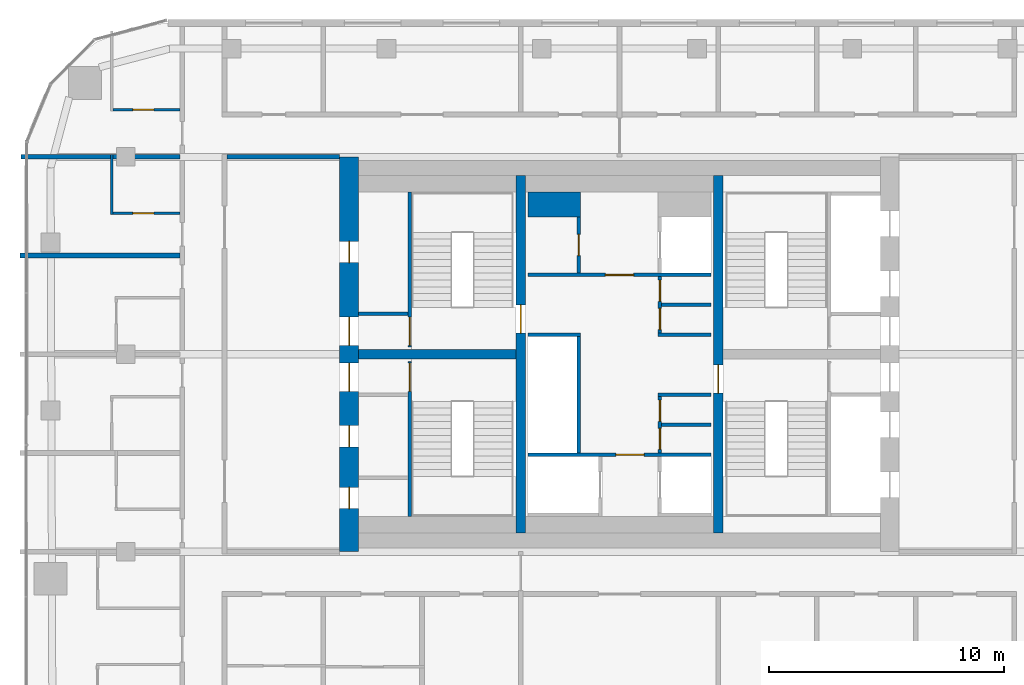
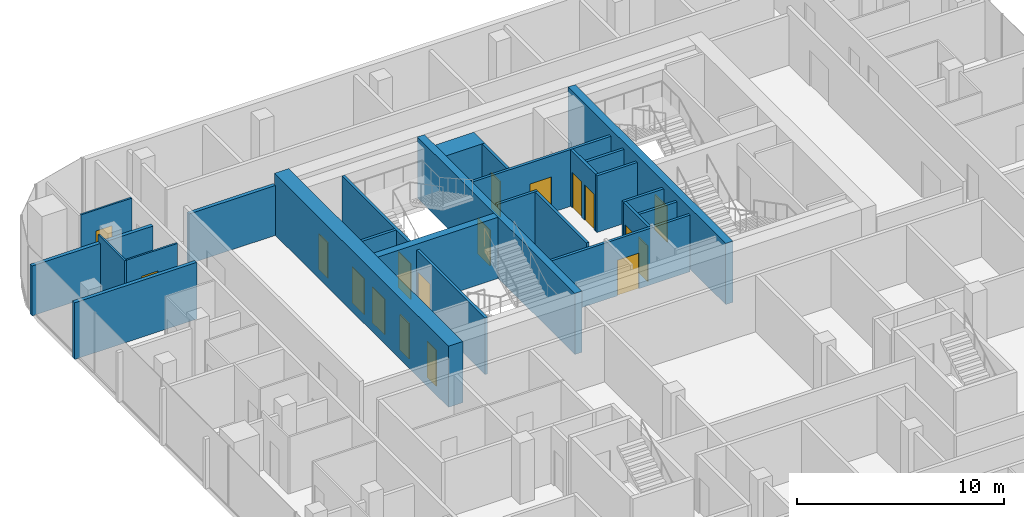
# One storey, part 18 of 22: 25 walls, 18 doors, 18 openings.
"""IFC4 building model written with IfcOpenShell, lengths in metres."""

from ifc_helpers import new_model, si_unit, direction, frame, frame_2d, origin, place, context, subcontext, project, spatial, rectangle, extrude, material, layer, layer_set, type_object, element, fill, save


model = new_model("IFC4")

# Units and contexts
model_context = context("Model", 3, precision=1e-05, world=origin(), true_north=direction((0.0, 1.0)))
body_context = subcontext(model_context, "Body", "Model", "MODEL_VIEW")
ifc_project = project(units=[si_unit("LENGTHUNIT", "METRE"), si_unit("AREAUNIT", "SQUARE_METRE"), si_unit("VOLUMEUNIT", "CUBIC_METRE"), si_unit("PLANEANGLEUNIT", "RADIAN"), si_unit("MASSUNIT", "GRAM", prefix="KILO")], contexts=[model_context])

# Site, building, storey
site_placement = place(None, origin())
site = spatial("IfcSite", under=ifc_project, at=site_placement, CompositionType="ELEMENT")
building_placement = place(site_placement, origin())
building = spatial("IfcBuilding", under=site, at=building_placement, Name="Marenta Gate Hotel Tower", CompositionType="ELEMENT")
storey_placement = place(building_placement, frame((0.0, 0.0, 238.10009765625)))
storey = spatial("IfcBuildingStorey", under=building, at=storey_placement, Name="L56", CompositionType="ELEMENT", Elevation=238.10009765625)

# Wall
ifc_material_1 = material(Name="Concrete blockwork", Category="masonry")
ifc_layer_1 = layer(ifc_material_1, 0.199951171875)
ifc_layer_set_1 = layer_set([ifc_layer_1], Name="Concrete blockwork")
wall_type_1 = type_object("IfcWallType", Name="Core boundary wall 200 REI 180", PredefinedType="PARTITIONING", material=ifc_layer_set_1)
wall_1_placement = place(storey_placement, frame((-16.699951171875, 16.800048828125, 0.0), z_axis=(0.0, 0.0, 1.0), x_axis=(1.0, 0.0, 0.0)))
element("IfcWall", 1, at=wall_1_placement, inside=storey, type_object=wall_type_1, Name="L56-CP-EW-WN", PredefinedType="PARTITIONING", context=body_context, shape_type="SweptSolid", body=[
    extrude(rectangle(XDim=4.800048828125, YDim=0.199951171875, at=frame_2d((2.39990234375, 0.0))), origin(), (0.0, 0.0, 1.0), 2.93994140625),
])

# Wall, opening, door
ifc_material_2 = material(Name="Concrete blockwork", Category="masonry")
ifc_layer_2 = layer(ifc_material_2, 0.14990234375)
ifc_layer_set_2 = layer_set([ifc_layer_2], Name="Concrete blockwork")
wall_type_2 = type_object("IfcWallType", Name="Core lobby partition 150 REI 180", PredefinedType="PARTITIONING", material=ifc_layer_set_2)
wall_2_placement = place(storey_placement, frame((-3.89990234375, 4.125, 0.0), z_axis=(0.0, 0.0, 1.0), x_axis=(1.0, 0.0, 0.0)))
wall_2 = element("IfcWall", 2, at=wall_2_placement, inside=storey, type_object=wall_type_2, Name="L56-CP-CW-S", PredefinedType="PARTITIONING", context=body_context, shape_type="SweptSolid", body=[
    extrude(rectangle(XDim=7.7998046875, YDim=0.14990234375, at=frame_2d((3.89990234375, 0.0))), origin(), (0.0, 0.0, 1.0), 3.33984375),
])
opening_1_placement = place(wall_2_placement, frame((3.75, 0.0, 0.0)))
opening_1 = element("IfcOpeningElement", 3, at=opening_1_placement, cuts=wall_2, Name="Opening FD-FFS", PredefinedType="OPENING", context=body_context, shape_type="SweptSolid", body=[
    extrude(rectangle(XDim=1.199951171875, YDim=2.10009765625, at=frame_2d((0.60009765625, 1.050048828125))), frame((0.0, 0.074951171875, 0.0), z_axis=(0.0, -1.0, 0.0), x_axis=(1.0, 0.0, 0.0)), (0.0, 0.0, 1.0), 0.14990234375),
])
ifc_material_3 = material(Name="Steel", Category="steel")
door_type_1 = type_object("IfcDoorType", Name="Core lobby door 1200x2100 FD60", OperationType="SINGLE_SWING_LEFT", PredefinedType="DOOR", material=ifc_material_3)
door_1_placement = place(opening_1_placement, origin())
door_1 = element("IfcDoor", 4, at=door_1_placement, inside=storey, type_object=door_type_1, Name="FD-FFS", OperationType="SINGLE_SWING_LEFT", OverallHeight=2.10009765625, OverallWidth=1.199951171875, PredefinedType="DOOR", context=body_context, shape_type="SweptSolid", body=[
    extrude(rectangle(XDim=1.199951171875, YDim=2.10009765625, at=frame_2d((0.60009765625, 1.050048828125))), frame((0.0, 0.02490234375, 0.0), z_axis=(0.0, -1.0, 0.0), x_axis=(1.0, 0.0, 0.0)), (0.0, 0.0, 1.0), 0.050048828125),
])
fill(opening_1, door_1)

wall_3_placement = place(storey_placement, frame((-3.89990234375, 11.77490234375, 0.0), z_axis=(0.0, 0.0, 1.0), x_axis=(1.0, 0.0, 0.0)))
wall_3 = element("IfcWall", 5, at=wall_3_placement, inside=storey, type_object=wall_type_2, Name="L56-CP-CW-N", PredefinedType="PARTITIONING", context=body_context, shape_type="SweptSolid", body=[
    extrude(rectangle(XDim=7.7998046875, YDim=0.14990234375, at=frame_2d((3.89990234375, 0.0))), origin(), (0.0, 0.0, 1.0), 3.33984375),
])
opening_2_placement = place(wall_3_placement, frame((3.300048828125, 0.0, 0.0)))
opening_2 = element("IfcOpeningElement", 6, at=opening_2_placement, cuts=wall_3, Name="Opening FD-FFN", PredefinedType="OPENING", context=body_context, shape_type="SweptSolid", body=[
    extrude(rectangle(XDim=1.199951171875, YDim=2.10009765625, at=frame_2d((0.60009765625, 1.050048828125))), frame((0.0, 0.074951171875, 0.0), z_axis=(0.0, -1.0, 0.0), x_axis=(1.0, 0.0, 0.0)), (0.0, 0.0, 1.0), 0.14990234375),
])
door_2_placement = place(opening_2_placement, origin())
door_2 = element("IfcDoor", 7, at=door_2_placement, inside=storey, type_object=door_type_1, Name="FD-FFN", OperationType="SINGLE_SWING_LEFT", OverallHeight=2.10009765625, OverallWidth=1.199951171875, PredefinedType="DOOR", context=body_context, shape_type="SweptSolid", body=[
    extrude(rectangle(XDim=1.199951171875, YDim=2.10009765625, at=frame_2d((0.60009765625, 1.050048828125))), frame((0.0, 0.02490234375, 0.0), z_axis=(0.0, -1.0, 0.0), x_axis=(1.0, 0.0, 0.0)), (0.0, 0.0, 1.0), 0.050048828125),
])
fill(opening_2, door_2)

# Walls
ifc_material_4 = material(Name="Concrete blockwork", Category="masonry")
ifc_layer_3 = layer(ifc_material_4, 1.050048828125)
ifc_layer_set_3 = layer_set([ifc_layer_3], Name="Concrete blockwork")
wall_type_3 = type_object("IfcWallType", Name="Core room partition 1050 REI 180", PredefinedType="PARTITIONING", material=ifc_layer_set_3)
wall_4_placement = place(storey_placement, frame((-3.89990234375, 14.77490234375, 0.0), z_axis=(0.0, 0.0, 1.0), x_axis=(1.0, 0.0, 0.0)))
element("IfcWall", 8, at=wall_4_placement, inside=storey, type_object=wall_type_3, Name="L56-CP-CW-W-riser-N", PredefinedType="PARTITIONING", context=body_context, shape_type="SweptSolid", body=[
    extrude(rectangle(XDim=2.25, YDim=1.050048828125, at=frame_2d((1.125, 0.0))), origin(), (0.0, 0.0, 1.0), 3.33984375),
])
ifc_material_5 = material(Name="Concrete blockwork", Category="masonry")
ifc_layer_4 = layer(ifc_material_5, 0.14990234375)
ifc_layer_set_4 = layer_set([ifc_layer_4], Name="Concrete blockwork")
wall_type_4 = type_object("IfcWallType", Name="Core room partition 150 REI 180", PredefinedType="PARTITIONING", material=ifc_layer_set_4)
wall_5_placement = place(storey_placement, frame((-11.10009765625, 10.125, 0.0), z_axis=(0.0, 0.0, 1.0), x_axis=(1.0, 0.0, 0.0)))
element("IfcWall", 9, at=wall_5_placement, inside=storey, type_object=wall_type_4, Name="L56-CP-SW-WN-2", PredefinedType="PARTITIONING", context=body_context, shape_type="SweptSolid", body=[
    extrude(rectangle(XDim=2.10009765625, YDim=0.14990234375, at=frame_2d((1.050048828125, 0.0))), origin(), (0.0, 0.0, 1.0), 3.33984375),
])

# Wall, opening, door
wall_6_placement = place(storey_placement, frame((-1.72509765625, 11.85009765625, 0.0), z_axis=(0.0, 0.0, 1.0), x_axis=(0.0, 1.0, 0.0)))
wall_6 = element("IfcWall", 10, at=wall_6_placement, inside=storey, type_object=wall_type_4, Name="L56-CP-CW-W-riser-front", PredefinedType="PARTITIONING", context=body_context, shape_type="SweptSolid", body=[
    extrude(rectangle(XDim=2.39990234375, YDim=0.14990234375, at=frame_2d((1.199951171875, 0.0))), origin(), (0.0, 0.0, 1.0), 3.33984375),
])
opening_3_placement = place(wall_6_placement, frame((0.75, 0.0, 0.0)))
opening_3 = element("IfcOpeningElement", 11, at=opening_3_placement, cuts=wall_6, Name="Opening RD-CRISER", PredefinedType="OPENING", context=body_context, shape_type="SweptSolid", body=[
    extrude(rectangle(XDim=0.89990234375, YDim=2.10009765625, at=frame_2d((0.449951171875, 1.050048828125))), frame((0.0, 0.074951171875, 0.0), z_axis=(0.0, -1.0, 0.0), x_axis=(1.0, 0.0, 0.0)), (0.0, 0.0, 1.0), 0.14990234375),
])
ifc_material_6 = material(Name="Steel", Category="steel")
door_type_2 = type_object("IfcDoorType", Name="Core riser door 900x2100 FD60", OperationType="SINGLE_SWING_LEFT", PredefinedType="DOOR", material=ifc_material_6)
door_3_placement = place(opening_3_placement, origin())
door_3 = element("IfcDoor", 12, at=door_3_placement, inside=storey, type_object=door_type_2, Name="RD-CRISER", OperationType="SINGLE_SWING_LEFT", OverallHeight=2.10009765625, OverallWidth=0.89990234375, PredefinedType="DOOR", context=body_context, shape_type="SweptSolid", body=[
    extrude(rectangle(XDim=0.89990234375, YDim=2.10009765625, at=frame_2d((0.449951171875, 1.050048828125))), frame((0.0, 0.02490234375, 0.0), z_axis=(0.0, -1.0, 0.0), x_axis=(1.0, 0.0, 0.0)), (0.0, 0.0, 1.0), 0.050048828125),
])
fill(opening_3, door_3)

# Walls
for number, where, z_axis, x_axis, name in (
    (13, (1.64990234375, 6.675048828125, 0.0), (0.0, 0.0, 1.0), (1.0, 0.0, 0.0), "L56-CP-CE-sep1"),
    (14, (1.64990234375, 9.22509765625, 0.0), (0.0, 0.0, 1.0), (1.0, 0.0, 0.0), "L56-CP-CE-sep2"),
):
    element("IfcWall", number, at=place(storey_placement, frame(where, z_axis=z_axis, x_axis=x_axis)), inside=storey, type_object=wall_type_4, Name=name, PredefinedType="PARTITIONING", context=body_context, shape_type="SweptSolid", body=[
        extrude(rectangle(XDim=2.25, YDim=0.14990234375, at=frame_2d((1.125, 0.0))), origin(), (0.0, 0.0, 1.0), 3.33984375),
    ])

# Wall, openings, doors
wall_7_placement = place(storey_placement, frame((1.72509765625, 4.199951171875, 0.0), z_axis=(0.0, 0.0, 1.0), x_axis=(0.0, 1.0, 0.0)))
wall_7 = element("IfcWall", 15, at=wall_7_placement, inside=storey, type_object=wall_type_4, Name="L56-CP-CE-front-1", PredefinedType="PARTITIONING", context=body_context, shape_type="SweptSolid", body=[
    extrude(rectangle(XDim=2.400146484375, YDim=0.14990234375, at=frame_2d((1.2001953125, 0.0))), origin(), (0.0, 0.0, 1.0), 3.33984375),
])
opening_4_placement = place(wall_7_placement, frame((0.14990234375, 0.0, 0.0)))
opening_4 = element("IfcOpeningElement", 16, at=opening_4_placement, cuts=wall_7, Name="Opening RD-CE-1a", PredefinedType="OPENING", context=body_context, shape_type="SweptSolid", body=[
    extrude(rectangle(XDim=0.89990234375, YDim=2.10009765625, at=frame_2d((0.449951171875, 1.050048828125))), frame((0.0, 0.074951171875, 0.0), z_axis=(0.0, -1.0, 0.0), x_axis=(1.0, 0.0, 0.0)), (0.0, 0.0, 1.0), 0.14990234375),
])
opening_5_placement = place(wall_7_placement, frame((1.35009765625, 0.0, 0.0)))
opening_5 = element("IfcOpeningElement", 17, at=opening_5_placement, cuts=wall_7, Name="Opening RD-CE-1b-B", PredefinedType="OPENING", context=body_context, shape_type="SweptSolid", body=[
    extrude(rectangle(XDim=0.89990234375, YDim=2.10009765625, at=frame_2d((0.449951171875, 1.050048828125))), frame((0.0, 0.074951171875, 0.0), z_axis=(0.0, -1.0, 0.0), x_axis=(1.0, 0.0, 0.0)), (0.0, 0.0, 1.0), 0.14990234375),
])
ifc_material_7 = material(Name="Steel", Category="steel")
door_type_3 = type_object("IfcDoorType", Name="Core service room door 900x2100 FD30S", OperationType="SINGLE_SWING_LEFT", PredefinedType="DOOR", material=ifc_material_7)
door_4_placement = place(opening_4_placement, origin())
door_4 = element("IfcDoor", 18, at=door_4_placement, inside=storey, type_object=door_type_3, Name="RD-CE-1a", OperationType="SINGLE_SWING_LEFT", OverallHeight=2.10009765625, OverallWidth=0.89990234375, PredefinedType="DOOR", context=body_context, shape_type="SweptSolid", body=[
    extrude(rectangle(XDim=0.89990234375, YDim=2.10009765625, at=frame_2d((0.449951171875, 1.050048828125))), frame((0.0, 0.02490234375, 0.0), z_axis=(0.0, -1.0, 0.0), x_axis=(1.0, 0.0, 0.0)), (0.0, 0.0, 1.0), 0.050048828125),
])
fill(opening_4, door_4)
door_5_placement = place(opening_5_placement, origin())
door_5 = element("IfcDoor", 19, at=door_5_placement, inside=storey, type_object=door_type_3, Name="RD-CE-1b-B", OperationType="SINGLE_SWING_LEFT", OverallHeight=2.10009765625, OverallWidth=0.89990234375, PredefinedType="DOOR", context=body_context, shape_type="SweptSolid", body=[
    extrude(rectangle(XDim=0.89990234375, YDim=2.10009765625, at=frame_2d((0.449951171875, 1.050048828125))), frame((0.0, 0.02490234375, 0.0), z_axis=(0.0, -1.0, 0.0), x_axis=(1.0, 0.0, 0.0)), (0.0, 0.0, 1.0), 0.050048828125),
])
fill(opening_5, door_5)

wall_8_placement = place(storey_placement, frame((1.72509765625, 9.300048828125, 0.0), z_axis=(0.0, 0.0, 1.0), x_axis=(0.0, 1.0, 0.0)))
wall_8 = element("IfcWall", 20, at=wall_8_placement, inside=storey, type_object=wall_type_4, Name="L56-CP-CE-front-2", PredefinedType="PARTITIONING", context=body_context, shape_type="SweptSolid", body=[
    extrude(rectangle(XDim=2.39990234375, YDim=0.14990234375, at=frame_2d((1.199951171875, 0.0))), origin(), (0.0, 0.0, 1.0), 3.33984375),
])
opening_6_placement = place(wall_8_placement, frame((0.14990234375, 0.0, 0.0)))
opening_6 = element("IfcOpeningElement", 21, at=opening_6_placement, cuts=wall_8, Name="Opening RD-CE-2a", PredefinedType="OPENING", context=body_context, shape_type="SweptSolid", body=[
    extrude(rectangle(XDim=0.89990234375, YDim=2.10009765625, at=frame_2d((0.449951171875, 1.050048828125))), frame((0.0, 0.074951171875, 0.0), z_axis=(0.0, -1.0, 0.0), x_axis=(1.0, 0.0, 0.0)), (0.0, 0.0, 1.0), 0.14990234375),
])
opening_7_placement = place(wall_8_placement, frame((1.35009765625, 0.0, 0.0)))
opening_7 = element("IfcOpeningElement", 22, at=opening_7_placement, cuts=wall_8, Name="Opening RD-CE-2b-B", PredefinedType="OPENING", context=body_context, shape_type="SweptSolid", body=[
    extrude(rectangle(XDim=0.89990234375, YDim=2.10009765625, at=frame_2d((0.449951171875, 1.050048828125))), frame((0.0, 0.074951171875, 0.0), z_axis=(0.0, -1.0, 0.0), x_axis=(1.0, 0.0, 0.0)), (0.0, 0.0, 1.0), 0.14990234375),
])
door_6_placement = place(opening_6_placement, origin())
door_6 = element("IfcDoor", 23, at=door_6_placement, inside=storey, type_object=door_type_3, Name="RD-CE-2a", OperationType="SINGLE_SWING_LEFT", OverallHeight=2.10009765625, OverallWidth=0.89990234375, PredefinedType="DOOR", context=body_context, shape_type="SweptSolid", body=[
    extrude(rectangle(XDim=0.89990234375, YDim=2.10009765625, at=frame_2d((0.449951171875, 1.050048828125))), frame((0.0, 0.02490234375, 0.0), z_axis=(0.0, -1.0, 0.0), x_axis=(1.0, 0.0, 0.0)), (0.0, 0.0, 1.0), 0.050048828125),
])
fill(opening_6, door_6)
door_7_placement = place(opening_7_placement, origin())
door_7 = element("IfcDoor", 24, at=door_7_placement, inside=storey, type_object=door_type_3, Name="RD-CE-2b-B", OperationType="SINGLE_SWING_LEFT", OverallHeight=2.10009765625, OverallWidth=0.89990234375, PredefinedType="DOOR", context=body_context, shape_type="SweptSolid", body=[
    extrude(rectangle(XDim=0.89990234375, YDim=2.10009765625, at=frame_2d((0.449951171875, 1.050048828125))), frame((0.0, 0.02490234375, 0.0), z_axis=(0.0, -1.0, 0.0), x_axis=(1.0, 0.0, 0.0)), (0.0, 0.0, 1.0), 0.050048828125),
])
fill(opening_7, door_7)

# Walls
for number, where, z_axis, x_axis, name in (
    (25, (1.800048828125, 5.39990234375, 0.0), (0.0, 0.0, 1.0), (1.0, 0.0, 0.0), "L56-CP-CE-RW-1"),
    (26, (1.800048828125, 10.5, 0.0), (0.0, 0.0, 1.0), (1.0, 0.0, 0.0), "L56-CP-CE-RW-2"),
):
    element("IfcWall", number, at=place(storey_placement, frame(where, z_axis=z_axis, x_axis=x_axis)), inside=storey, type_object=wall_type_4, Name=name, PredefinedType="PARTITIONING", context=body_context, shape_type="SweptSolid", body=[
        extrude(rectangle(XDim=2.099853515625, YDim=0.14990234375, at=frame_2d((1.0498046875, 0.0))), origin(), (0.0, 0.0, 1.0), 3.33984375),
    ])
ifc_material_8 = material(Name="Concrete C40", Category="concrete")
ifc_layer_5 = layer(ifc_material_8, 0.14990234375)
ifc_layer_set_5 = layer_set([ifc_layer_5], Name="Concrete C40")
wall_type_5 = type_object("IfcWallType", Name="Core shaft wall 150 REI 180", PredefinedType="SHEAR", material=ifc_layer_set_5)
wall_9_placement = place(storey_placement, frame((-1.72509765625, 4.199951171875, 0.0), z_axis=(0.0, 0.0, 1.0), x_axis=(0.0, 1.0, 0.0)))
element("IfcWall", 27, at=wall_9_placement, inside=storey, type_object=wall_type_5, Name="L56-SHF-CW-W-front", PredefinedType="SHEAR", context=body_context, shape_type="SweptSolid", body=[
    extrude(rectangle(XDim=4.949951171875, YDim=0.14990234375, at=frame_2d((2.47509765625, 0.0))), origin(), (0.0, 0.0, 1.0), 3.599853515625),
])
wall_10_placement = place(storey_placement, frame((-3.89990234375, 9.22509765625, 0.0), z_axis=(0.0, 0.0, 1.0), x_axis=(1.0, 0.0, 0.0)))
element("IfcWall", 28, at=wall_10_placement, inside=storey, type_object=wall_type_5, Name="L56-SHF-CW-W-sep", PredefinedType="SHEAR", context=body_context, shape_type="SweptSolid", body=[
    extrude(rectangle(XDim=2.25, YDim=0.14990234375, at=frame_2d((1.125, 0.0))), origin(), (0.0, 0.0, 1.0), 3.599853515625),
])

# Wall, opening, door
ifc_material_9 = material(Name="Concrete C40", Category="concrete")
ifc_layer_6 = layer(ifc_material_9, 0.14990234375)
ifc_layer_set_6 = layer_set([ifc_layer_6], Name="Concrete C40")
wall_type_6 = type_object("IfcWallType", Name="Core stair enclosure wall 150 REI 180", PredefinedType="SHEAR", material=ifc_layer_set_6)
wall_11_placement = place(storey_placement, frame((-8.925048828125, 1.5, 0.0), z_axis=(0.0, 0.0, 1.0), x_axis=(0.0, 1.0, 0.0)))
wall_11 = element("IfcWall", 29, at=wall_11_placement, inside=storey, type_object=wall_type_6, Name="L56-SHF-SW-WS-3", PredefinedType="SHEAR", context=body_context, shape_type="SweptSolid", body=[
    extrude(rectangle(XDim=6.60009765625, YDim=0.14990234375, at=frame_2d((3.300048828125, 0.0))), origin(), (0.0, 0.0, 1.0), 3.33984375),
])
opening_8_placement = place(wall_11_placement, frame((5.324951171875, 0.0, 0.0)))
opening_8 = element("IfcOpeningElement", 30, at=opening_8_placement, cuts=wall_11, Name="Opening SD-WS", PredefinedType="OPENING", context=body_context, shape_type="SweptSolid", body=[
    extrude(rectangle(XDim=1.199951171875, YDim=2.10009765625, at=frame_2d((0.60009765625, 1.050048828125))), frame((0.0, 0.074951171875, 0.0), z_axis=(0.0, -1.0, 0.0), x_axis=(1.0, 0.0, 0.0)), (0.0, 0.0, 1.0), 0.14990234375),
])
ifc_material_10 = material(Name="Steel", Category="steel")
door_type_4 = type_object("IfcDoorType", Name="Core stair door 1200x2100 FD60", OperationType="SINGLE_SWING_LEFT", PredefinedType="DOOR", material=ifc_material_10)
door_8_placement = place(opening_8_placement, origin())
door_8 = element("IfcDoor", 31, at=door_8_placement, inside=storey, type_object=door_type_4, Name="SD-WS", OperationType="SINGLE_SWING_LEFT", OverallHeight=2.10009765625, OverallWidth=1.199951171875, PredefinedType="DOOR", context=body_context, shape_type="SweptSolid", body=[
    extrude(rectangle(XDim=1.199951171875, YDim=2.10009765625, at=frame_2d((0.60009765625, 1.050048828125))), frame((0.0, 0.02490234375, 0.0), z_axis=(0.0, -1.0, 0.0), x_axis=(1.0, 0.0, 0.0)), (0.0, 0.0, 1.0), 0.050048828125),
])
fill(opening_8, door_8)

wall_12_placement = place(storey_placement, frame((-8.925048828125, 8.699951171875, 0.0), z_axis=(0.0, 0.0, 1.0), x_axis=(0.0, 1.0, 0.0)))
wall_12 = element("IfcWall", 32, at=wall_12_placement, inside=storey, type_object=wall_type_6, Name="L56-SHF-SW-WN-3", PredefinedType="SHEAR", context=body_context, shape_type="SweptSolid", body=[
    extrude(rectangle(XDim=6.60009765625, YDim=0.14990234375, at=frame_2d((3.300048828125, 0.0))), origin(), (0.0, 0.0, 1.0), 3.33984375),
])
opening_9_placement = place(wall_12_placement, frame((0.074951171875, 0.0, 0.0)))
opening_9 = element("IfcOpeningElement", 33, at=opening_9_placement, cuts=wall_12, Name="Opening SD-WN", PredefinedType="OPENING", context=body_context, shape_type="SweptSolid", body=[
    extrude(rectangle(XDim=1.199951171875, YDim=2.10009765625, at=frame_2d((0.60009765625, 1.050048828125))), frame((0.0, 0.074951171875, 0.0), z_axis=(0.0, -1.0, 0.0), x_axis=(1.0, 0.0, 0.0)), (0.0, 0.0, 1.0), 0.14990234375),
])
door_9_placement = place(opening_9_placement, origin())
door_9 = element("IfcDoor", 34, at=door_9_placement, inside=storey, type_object=door_type_4, Name="SD-WN", OperationType="SINGLE_SWING_LEFT", OverallHeight=2.10009765625, OverallWidth=1.199951171875, PredefinedType="DOOR", context=body_context, shape_type="SweptSolid", body=[
    extrude(rectangle(XDim=1.199951171875, YDim=2.10009765625, at=frame_2d((0.60009765625, 1.050048828125))), frame((0.0, 0.02490234375, 0.0), z_axis=(0.0, -1.0, 0.0), x_axis=(1.0, 0.0, 0.0)), (0.0, 0.0, 1.0), 0.050048828125),
])
fill(opening_9, door_9)

# Wall, openings, doors
ifc_material_11 = material(Name="Concrete C60", Category="concrete")
ifc_layer_7 = layer(ifc_material_11, 0.800048828125)
ifc_layer_set_7 = layer_set([ifc_layer_7], Name="Concrete C60")
wall_type_7 = type_object("IfcWallType", Name="Core wall 800 C60", PredefinedType="SHEAR", material=ifc_layer_set_7)
wall_13_placement = place(storey_placement, frame((-11.5, 0.0, 0.0), z_axis=(0.0, 0.0, 1.0), x_axis=(0.0, 1.0, 0.0)))
wall_13 = element("IfcWall", 35, at=wall_13_placement, inside=storey, type_object=wall_type_7, Name="L56-CORE-W", PredefinedType="SHEAR", context=body_context, shape_type="SweptSolid", body=[
    extrude(rectangle(XDim=16.800048828125, YDim=0.800048828125, at=frame_2d((8.39990234375, 0.0))), origin(), (0.0, 0.0, 1.0), 3.599853515625),
])
opening_10_placement = place(wall_13_placement, frame((1.83740234375, 0.0, 0.0)))
opening_10 = element("IfcOpeningElement", 36, at=opening_10_placement, cuts=wall_13, Name="Opening RD-WS-1", PredefinedType="OPENING", context=body_context, shape_type="SweptSolid", body=[
    extrude(rectangle(XDim=0.89990234375, YDim=2.10009765625, at=frame_2d((0.449951171875, 1.050048828125))), frame((0.0, 0.39990234375, 0.0), z_axis=(0.0, -1.0, 0.0), x_axis=(1.0, 0.0, 0.0)), (0.0, 0.0, 1.0), 0.800048828125),
])
opening_11_placement = place(wall_13_placement, frame((4.46240234375, 0.0, 0.0)))
opening_11 = element("IfcOpeningElement", 37, at=opening_11_placement, cuts=wall_13, Name="Opening RD-WS-2", PredefinedType="OPENING", context=body_context, shape_type="SweptSolid", body=[
    extrude(rectangle(XDim=0.89990234375, YDim=2.10009765625, at=frame_2d((0.449951171875, 1.050048828125))), frame((0.0, 0.39990234375, 0.0), z_axis=(0.0, -1.0, 0.0), x_axis=(1.0, 0.0, 0.0)), (0.0, 0.0, 1.0), 0.800048828125),
])
opening_12_placement = place(wall_13_placement, frame((6.824951171875, 0.0, 0.0)))
opening_12 = element("IfcOpeningElement", 38, at=opening_12_placement, cuts=wall_13, Name="Opening PD-WS", PredefinedType="OPENING", context=body_context, shape_type="SweptSolid", body=[
    extrude(rectangle(XDim=1.199951171875, YDim=2.10009765625, at=frame_2d((0.60009765625, 1.050048828125))), frame((0.0, 0.39990234375, 0.0), z_axis=(0.0, -1.0, 0.0), x_axis=(1.0, 0.0, 0.0)), (0.0, 0.0, 1.0), 0.800048828125),
])
opening_13_placement = place(wall_13_placement, frame((12.300048828125, 0.0, 0.0)))
opening_13 = element("IfcOpeningElement", 39, at=opening_13_placement, cuts=wall_13, Name="Opening RD-WN-1", PredefinedType="OPENING", context=body_context, shape_type="SweptSolid", body=[
    extrude(rectangle(XDim=0.89990234375, YDim=2.10009765625, at=frame_2d((0.449951171875, 1.050048828125))), frame((0.0, 0.39990234375, 0.0), z_axis=(0.0, -1.0, 0.0), x_axis=(1.0, 0.0, 0.0)), (0.0, 0.0, 1.0), 0.800048828125),
])
opening_14_placement = place(wall_13_placement, frame((8.77490234375, 0.0, 0.0)))
opening_14 = element("IfcOpeningElement", 40, at=opening_14_placement, cuts=wall_13, Name="Opening PD-WN", PredefinedType="OPENING", context=body_context, shape_type="SweptSolid", body=[
    extrude(rectangle(XDim=1.199951171875, YDim=2.10009765625, at=frame_2d((0.60009765625, 1.050048828125))), frame((0.0, 0.39990234375, 0.0), z_axis=(0.0, -1.0, 0.0), x_axis=(1.0, 0.0, 0.0)), (0.0, 0.0, 1.0), 0.800048828125),
])
door_10_placement = place(opening_12_placement, origin())
door_10 = element("IfcDoor", 41, at=door_10_placement, inside=storey, type_object=door_type_1, Name="PD-WS", OperationType="SINGLE_SWING_LEFT", OverallHeight=2.10009765625, OverallWidth=1.199951171875, PredefinedType="DOOR", context=body_context, shape_type="SweptSolid", body=[
    extrude(rectangle(XDim=1.199951171875, YDim=2.10009765625, at=frame_2d((0.60009765625, 1.050048828125))), frame((0.0, 0.02490234375, 0.0), z_axis=(0.0, -1.0, 0.0), x_axis=(1.0, 0.0, 0.0)), (0.0, 0.0, 1.0), 0.050048828125),
])
fill(opening_12, door_10)
door_11_placement = place(opening_14_placement, origin())
door_11 = element("IfcDoor", 42, at=door_11_placement, inside=storey, type_object=door_type_1, Name="PD-WN", OperationType="SINGLE_SWING_LEFT", OverallHeight=2.10009765625, OverallWidth=1.199951171875, PredefinedType="DOOR", context=body_context, shape_type="SweptSolid", body=[
    extrude(rectangle(XDim=1.199951171875, YDim=2.10009765625, at=frame_2d((0.60009765625, 1.050048828125))), frame((0.0, 0.02490234375, 0.0), z_axis=(0.0, -1.0, 0.0), x_axis=(1.0, 0.0, 0.0)), (0.0, 0.0, 1.0), 0.050048828125),
])
fill(opening_14, door_11)
door_12_placement = place(opening_10_placement, origin())
door_12 = element("IfcDoor", 43, at=door_12_placement, inside=storey, type_object=door_type_3, Name="RD-WS-1", OperationType="SINGLE_SWING_LEFT", OverallHeight=2.10009765625, OverallWidth=0.89990234375, PredefinedType="DOOR", context=body_context, shape_type="SweptSolid", body=[
    extrude(rectangle(XDim=0.89990234375, YDim=2.10009765625, at=frame_2d((0.449951171875, 1.050048828125))), frame((0.0, 0.02490234375, 0.0), z_axis=(0.0, -1.0, 0.0), x_axis=(1.0, 0.0, 0.0)), (0.0, 0.0, 1.0), 0.050048828125),
])
fill(opening_10, door_12)
door_13_placement = place(opening_11_placement, origin())
door_13 = element("IfcDoor", 44, at=door_13_placement, inside=storey, type_object=door_type_3, Name="RD-WS-2", OperationType="SINGLE_SWING_LEFT", OverallHeight=2.10009765625, OverallWidth=0.89990234375, PredefinedType="DOOR", context=body_context, shape_type="SweptSolid", body=[
    extrude(rectangle(XDim=0.89990234375, YDim=2.10009765625, at=frame_2d((0.449951171875, 1.050048828125))), frame((0.0, 0.02490234375, 0.0), z_axis=(0.0, -1.0, 0.0), x_axis=(1.0, 0.0, 0.0)), (0.0, 0.0, 1.0), 0.050048828125),
])
fill(opening_11, door_13)
door_14_placement = place(opening_13_placement, origin())
door_14 = element("IfcDoor", 45, at=door_14_placement, inside=storey, type_object=door_type_3, Name="RD-WN-1", OperationType="SINGLE_SWING_LEFT", OverallHeight=2.10009765625, OverallWidth=0.89990234375, PredefinedType="DOOR", context=body_context, shape_type="SweptSolid", body=[
    extrude(rectangle(XDim=0.89990234375, YDim=2.10009765625, at=frame_2d((0.449951171875, 1.050048828125))), frame((0.0, 0.02490234375, 0.0), z_axis=(0.0, -1.0, 0.0), x_axis=(1.0, 0.0, 0.0)), (0.0, 0.0, 1.0), 0.050048828125),
])
fill(opening_13, door_14)

# Wall, opening, door
ifc_material_12 = material(Name="Concrete C60", Category="concrete")
ifc_layer_8 = layer(ifc_material_12, 0.39990234375)
ifc_layer_set_8 = layer_set([ifc_layer_8], Name="Concrete C60")
wall_type_8 = type_object("IfcWallType", Name="Core web 400 C60", PredefinedType="SHEAR", material=ifc_layer_set_8)
wall_14_placement = place(storey_placement, frame((-4.199951171875, 0.800048828125, 0.0), z_axis=(0.0, 0.0, 1.0), x_axis=(0.0, 1.0, 0.0)))
wall_14 = element("IfcWall", 46, at=wall_14_placement, inside=storey, type_object=wall_type_8, Name="L56-CORE-W1", PredefinedType="SHEAR", context=body_context, shape_type="SweptSolid", body=[
    extrude(rectangle(XDim=15.199951171875, YDim=0.39990234375, at=frame_2d((7.60009765625, 0.0))), origin(), (0.0, 0.0, 1.0), 3.599853515625),
])
opening_15_placement = place(wall_14_placement, frame((8.5, 0.0, 0.0)))
opening_15 = element("IfcOpeningElement", 47, at=opening_15_placement, cuts=wall_14, Name="Opening WD-W", PredefinedType="OPENING", context=body_context, shape_type="SweptSolid", body=[
    extrude(rectangle(XDim=1.199951171875, YDim=2.10009765625, at=frame_2d((0.60009765625, 1.050048828125))), frame((0.0, 0.199951171875, 0.0), z_axis=(0.0, -1.0, 0.0), x_axis=(1.0, 0.0, 0.0)), (0.0, 0.0, 1.0), 0.39990234375),
])
door_15_placement = place(opening_15_placement, origin())
door_15 = element("IfcDoor", 48, at=door_15_placement, inside=storey, type_object=door_type_4, Name="WD-W", OperationType="SINGLE_SWING_LEFT", OverallHeight=2.10009765625, OverallWidth=1.199951171875, PredefinedType="DOOR", context=body_context, shape_type="SweptSolid", body=[
    extrude(rectangle(XDim=1.199951171875, YDim=2.10009765625, at=frame_2d((0.60009765625, 1.050048828125))), frame((0.0, 0.02490234375, 0.0), z_axis=(0.0, -1.0, 0.0), x_axis=(1.0, 0.0, 0.0)), (0.0, 0.0, 1.0), 0.050048828125),
])
fill(opening_15, door_15)

wall_15_placement = place(storey_placement, frame((4.199951171875, 0.800048828125, 0.0), z_axis=(0.0, 0.0, 1.0), x_axis=(0.0, 1.0, 0.0)))
wall_15 = element("IfcWall", 49, at=wall_15_placement, inside=storey, type_object=wall_type_8, Name="L56-CORE-W2", PredefinedType="SHEAR", context=body_context, shape_type="SweptSolid", body=[
    extrude(rectangle(XDim=15.199951171875, YDim=0.39990234375, at=frame_2d((7.60009765625, 0.0))), origin(), (0.0, 0.0, 1.0), 3.599853515625),
])
opening_16_placement = place(wall_15_placement, frame((5.949951171875, 0.0, 0.0)))
opening_16 = element("IfcOpeningElement", 50, at=opening_16_placement, cuts=wall_15, Name="Opening WD-E", PredefinedType="OPENING", context=body_context, shape_type="SweptSolid", body=[
    extrude(rectangle(XDim=1.199951171875, YDim=2.10009765625, at=frame_2d((0.60009765625, 1.050048828125))), frame((0.0, 0.199951171875, 0.0), z_axis=(0.0, -1.0, 0.0), x_axis=(1.0, 0.0, 0.0)), (0.0, 0.0, 1.0), 0.39990234375),
])
door_16_placement = place(opening_16_placement, origin())
door_16 = element("IfcDoor", 51, at=door_16_placement, inside=storey, type_object=door_type_4, Name="WD-E", OperationType="SINGLE_SWING_LEFT", OverallHeight=2.10009765625, OverallWidth=1.199951171875, PredefinedType="DOOR", context=body_context, shape_type="SweptSolid", body=[
    extrude(rectangle(XDim=1.199951171875, YDim=2.10009765625, at=frame_2d((0.60009765625, 1.050048828125))), frame((0.0, 0.02490234375, 0.0), z_axis=(0.0, -1.0, 0.0), x_axis=(1.0, 0.0, 0.0)), (0.0, 0.0, 1.0), 0.050048828125),
])
fill(opening_16, door_16)

# Wall
wall_16_placement = place(storey_placement, frame((-11.10009765625, 8.39990234375, 0.0), z_axis=(0.0, 0.0, 1.0), x_axis=(1.0, 0.0, 0.0)))
element("IfcWall", 52, at=wall_16_placement, inside=storey, type_object=wall_type_8, Name="L56-CORE-W3", PredefinedType="SHEAR", context=body_context, shape_type="SweptSolid", body=[
    extrude(rectangle(XDim=6.7001953125, YDim=0.39990234375, at=frame_2d((3.35009765625, 0.0))), origin(), (0.0, 0.0, 1.0), 3.599853515625),
])

# Wall, opening, door
ifc_material_13 = material(Name="Gypsum board on steel stud", Category="steel")
ifc_layer_9 = layer(ifc_material_13, 0.10009765625)
ifc_layer_set_9 = layer_set([ifc_layer_9], Name="Gypsum board on steel stud")
wall_type_9 = type_object("IfcWallType", Name="Room partition 100", PredefinedType="PARTITIONING", material=ifc_layer_set_9)
wall_17_placement = place(storey_placement, frame((-21.550048828125, 14.39990234375, 0.0), z_axis=(0.0, 0.0, 1.0), x_axis=(1.0, 0.0, 0.0)))
wall_17 = element("IfcWall", 53, at=wall_17_placement, inside=storey, type_object=wall_type_9, Name="L56-PTN-W104", PredefinedType="PARTITIONING", context=body_context, shape_type="SweptSolid", body=[
    extrude(rectangle(XDim=2.85009765625, YDim=0.10009765625, at=frame_2d((1.425048828125, 0.0))), origin(), (0.0, 0.0, 1.0), 3.33984375),
])
opening_17_placement = place(wall_17_placement, frame((0.85009765625, 0.0, 0.0)))
opening_17 = element("IfcOpeningElement", 54, at=opening_17_placement, cuts=wall_17, Name="Opening G20-69", PredefinedType="OPENING", context=body_context, shape_type="SweptSolid", body=[
    extrude(rectangle(XDim=0.89990234375, YDim=2.10009765625, at=frame_2d((0.449951171875, 1.050048828125))), frame((0.0, 0.050048828125, 0.0), z_axis=(0.0, -1.0, 0.0), x_axis=(1.0, 0.0, 0.0)), (0.0, 0.0, 1.0), 0.10009765625),
])
ifc_material_14 = material(Name="Timber door leaf", Category="wood")
door_type_5 = type_object("IfcDoorType", Name="Guest bathroom door 900x2100", OperationType="NOTDEFINED", PredefinedType="DOOR", material=ifc_material_14)
door_17_placement = place(opening_17_placement, origin())
door_17 = element("IfcDoor", 55, at=door_17_placement, inside=storey, type_object=door_type_5, Name="L56-PD-D069", OperationType="SINGLE_SWING_LEFT", OverallHeight=2.10009765625, OverallWidth=0.89990234375, PredefinedType="DOOR", context=body_context, shape_type="SweptSolid", body=[
    extrude(rectangle(XDim=0.89990234375, YDim=2.10009765625, at=frame_2d((0.449951171875, 1.050048828125))), frame((0.0, 0.02490234375, 0.0), z_axis=(0.0, -1.0, 0.0), x_axis=(1.0, 0.0, 0.0)), (0.0, 0.0, 1.0), 0.050048828125),
])
fill(opening_17, door_17)

wall_18_placement = place(storey_placement, frame((-21.550048828125, 18.800048828125, 0.0), z_axis=(0.0, 0.0, 1.0), x_axis=(1.0, 0.0, 0.0)))
wall_18 = element("IfcWall", 56, at=wall_18_placement, inside=storey, type_object=wall_type_9, Name="L56-PTN-W115", PredefinedType="PARTITIONING", context=body_context, shape_type="SweptSolid", body=[
    extrude(rectangle(XDim=2.85009765625, YDim=0.10009765625, at=frame_2d((1.425048828125, 0.0))), origin(), (0.0, 0.0, 1.0), 3.33984375),
])
opening_18_placement = place(wall_18_placement, frame((0.85009765625, 0.0, 0.0)))
opening_18 = element("IfcOpeningElement", 57, at=opening_18_placement, cuts=wall_18, Name="Opening G20-71", PredefinedType="OPENING", context=body_context, shape_type="SweptSolid", body=[
    extrude(rectangle(XDim=0.89990234375, YDim=2.10009765625, at=frame_2d((0.449951171875, 1.050048828125))), frame((0.0, 0.050048828125, 0.0), z_axis=(0.0, -1.0, 0.0), x_axis=(1.0, 0.0, 0.0)), (0.0, 0.0, 1.0), 0.10009765625),
])
door_18_placement = place(opening_18_placement, origin())
door_18 = element("IfcDoor", 58, at=door_18_placement, inside=storey, type_object=door_type_5, Name="L56-PD-D071", OperationType="SINGLE_SWING_LEFT", OverallHeight=2.10009765625, OverallWidth=0.89990234375, PredefinedType="DOOR", context=body_context, shape_type="SweptSolid", body=[
    extrude(rectangle(XDim=0.89990234375, YDim=2.10009765625, at=frame_2d((0.449951171875, 1.050048828125))), frame((0.0, 0.02490234375, 0.0), z_axis=(0.0, -1.0, 0.0), x_axis=(1.0, 0.0, 0.0)), (0.0, 0.0, 1.0), 0.050048828125),
])
fill(opening_18, door_18)

# Walls
wall_19_placement = place(storey_placement, frame((-21.60009765625, 14.35009765625, 0.0), z_axis=(0.0, 0.0, 1.0), x_axis=(0.0, 1.0, 0.0)))
element("IfcWall", 59, at=wall_19_placement, inside=storey, type_object=wall_type_9, Name="L56-PTN-W121", PredefinedType="PARTITIONING", context=body_context, shape_type="SweptSolid", body=[
    extrude(rectangle(XDim=2.5498046875, YDim=0.10009765625, at=frame_2d((1.27490234375, 0.0))), origin(), (0.0, 0.0, 1.0), 3.33984375),
])
ifc_material_15 = material(Name="Gypsum board on steel stud", Category="steel")
ifc_layer_10 = layer(ifc_material_15, 0.199951171875)
ifc_layer_set_10 = layer_set([ifc_layer_10], Name="Gypsum board on steel stud")
wall_type_10 = type_object("IfcWallType", Name="Room party wall 200 EI 60", PredefinedType="PARTITIONING", material=ifc_layer_set_10)
wall_20_placement = place(storey_placement, frame((-25.5, 12.60009765625, 0.0), z_axis=(0.0, 0.0, 1.0), x_axis=(1.0, 0.0, 0.0)))
element("IfcWall", 60, at=wall_20_placement, inside=storey, type_object=wall_type_10, Name="L56-PTN-W102", PredefinedType="PARTITIONING", context=body_context, shape_type="SweptSolid", body=[
    extrude(rectangle(XDim=6.800048828125, YDim=0.199951171875, at=frame_2d((3.39990234375, 0.0))), origin(), (0.0, 0.0, 1.0), 3.33984375),
])
wall_21_placement = place(storey_placement, frame((-25.447021484375, 16.800048828125, 0.0), z_axis=(0.0, 0.0, 1.0), x_axis=(1.0, 0.0, 0.0)))
element("IfcWall", 61, at=wall_21_placement, inside=storey, type_object=wall_type_10, Name="L56-PTN-W111", PredefinedType="PARTITIONING", context=body_context, shape_type="SweptSolid", body=[
    extrude(rectangle(XDim=6.7470703125, YDim=0.199951171875, at=frame_2d((3.37353515625, 0.0))), origin(), (0.0, 0.0, 1.0), 2.93994140625),
])

save(model, "model.ifc")
